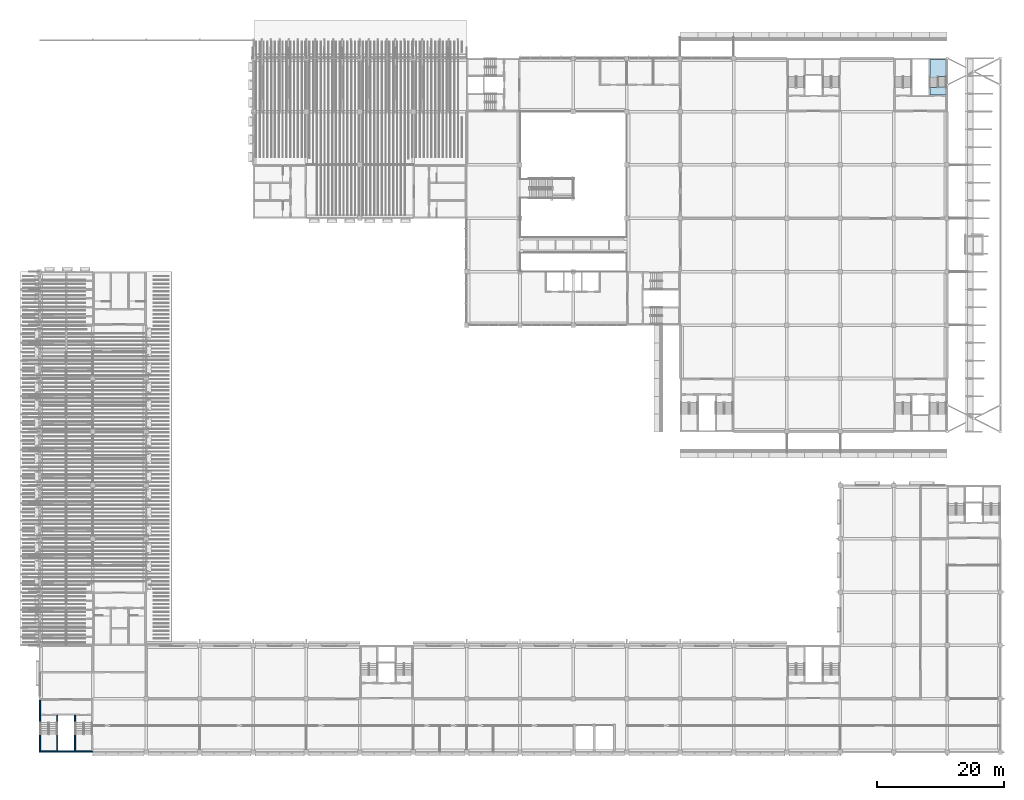
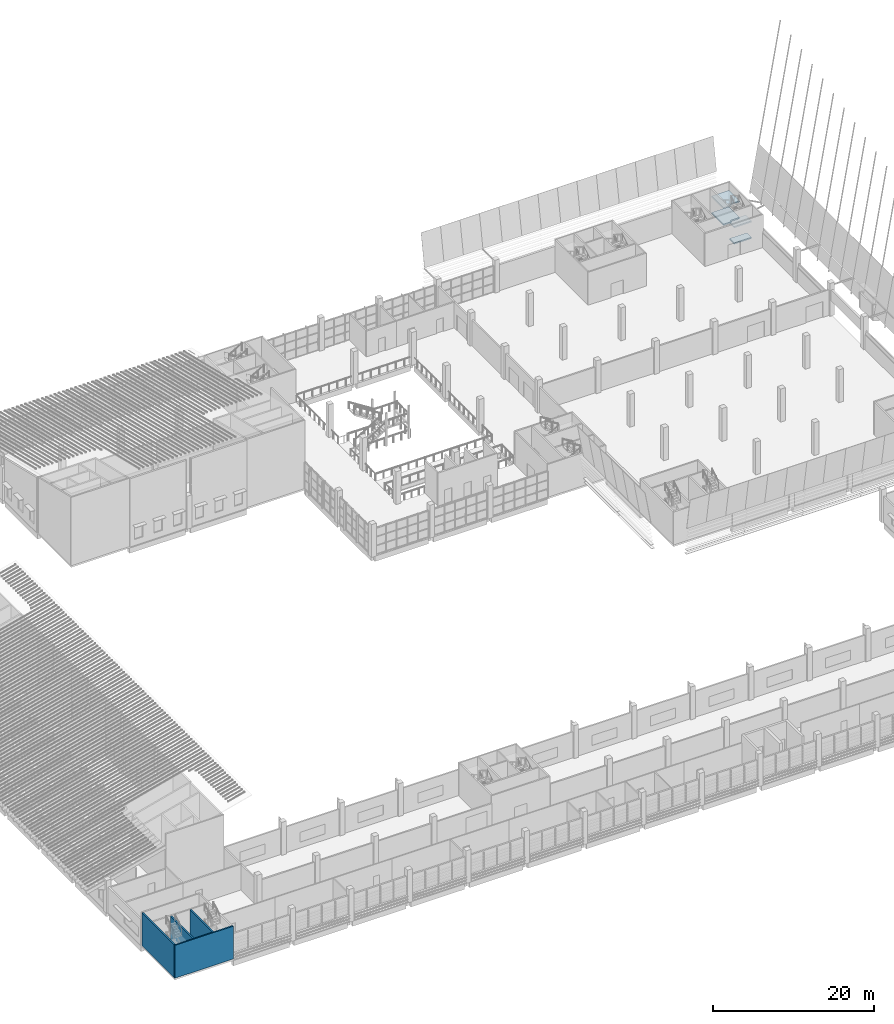
# One storey, part 16 of 82: 4 slabs, 4 walls, 1 element without a shape of its own.
"""IFC4 building model written with IfcOpenShell, lengths in metres."""

from ifc_helpers import new_model, si_unit, direction, frame, frame_2d, origin, place, context, subcontext, project, spatial, polyline, rectangle, outline, extrude, material, layer, layer_set, type_object, element, aggregate, save


model = new_model("IFC4")

# Units and contexts
model_context = context("Model", 3, precision=1e-05, world=origin(), true_north=direction((0.0, 1.0)))
body_context = subcontext(model_context, "Body", "Model", "MODEL_VIEW")
ifc_project = project(units=[si_unit("LENGTHUNIT", "METRE"), si_unit("AREAUNIT", "SQUARE_METRE"), si_unit("VOLUMEUNIT", "CUBIC_METRE"), si_unit("PLANEANGLEUNIT", "RADIAN"), si_unit("MASSUNIT", "GRAM", prefix="KILO")], contexts=[model_context])

# Site, building, storey
site_placement = place(None, origin())
site = spatial("IfcSite", under=ifc_project, at=site_placement, CompositionType="ELEMENT")
building_placement = place(site_placement, origin())
building = spatial("IfcBuilding", under=site, at=building_placement, Name="Almond Square Museum", CompositionType="ELEMENT")
storey_placement = place(building_placement, frame((0.0, 0.0, 20.0)))
storey = spatial("IfcBuildingStorey", under=building, at=storey_placement, Name="L03", CompositionType="ELEMENT", Elevation=20.0)

# Stair, slabs
ifc_material_1 = material(Name="Concrete C40/50", Category="concrete")
stair_type = type_object("IfcStairType", Name="Exit stair 28 risers of 179 mm", PredefinedType="HALF_TURN_STAIR", material=ifc_material_1)
stair_placement = place(storey_placement, origin())
stair = element("IfcStair", 1, at=stair_placement, inside=storey, type_object=stair_type, Name="L03 stair H3-2", PredefinedType="HALF_TURN_STAIR")
ifc_material_2 = material(Name="Concrete C40/50", Category="concrete")
ifc_layer_1 = layer(ifc_material_2, 0.199951171875)
ifc_layer_set_1 = layer_set([ifc_layer_1], Name="Concrete C40/50")
slab_type = type_object("IfcSlabType", Name="Concrete stair landing 200", PredefinedType="LANDING", material=ifc_layer_set_1)
slab_1_placement = place(storey_placement, frame((0.0, 0.0, 1.050048828125)))
slab_1 = element("IfcSlab", 2, at=slab_1_placement, type_object=slab_type, Name="ST-06 landing 1", PredefinedType="LANDING", context=body_context, shape_type="SweptSolid", body=[
    extrude(outline(polyline([(148.60009765625, 106.346923828125), (148.60009765625, 109.0), (146.10009765625, 109.0), (146.10009765625, 106.050048828125), (147.25, 106.050048828125), (147.25, 106.346923828125), (148.60009765625, 106.346923828125)])), origin(), (0.0, 0.0, 1.0), 0.199951171875),
])
slab_2_placement = place(storey_placement, frame((0.0, 0.0, 2.300048828125)))
slab_2 = element("IfcSlab", 3, at=slab_2_placement, type_object=slab_type, Name="ST-06 landing 2", PredefinedType="LANDING", context=body_context, shape_type="SweptSolid", body=[
    extrude(outline(polyline([(148.60009765625, 103.39990234375), (148.60009765625, 104.550048828125), (148.60009765625, 104.85009765625), (147.449951171875, 104.85009765625), (147.449951171875, 104.552978515625), (146.10009765625, 104.552978515625), (146.10009765625, 103.39990234375), (148.60009765625, 103.39990234375)])), origin(), (0.0, 0.0, 1.0), 0.199951171875),
])
slab_3_placement = place(storey_placement, frame((0.0, 0.0, 3.550048828125)))
slab_3 = element("IfcSlab", 4, at=slab_3_placement, type_object=slab_type, Name="ST-06 landing 3", PredefinedType="LANDING", context=body_context, shape_type="SweptSolid", body=[
    extrude(outline(polyline([(148.60009765625, 106.346923828125), (148.60009765625, 109.0), (146.10009765625, 109.0), (146.10009765625, 106.050048828125), (147.25, 106.050048828125), (147.25, 106.346923828125), (148.60009765625, 106.346923828125)])), origin(), (0.0, 0.0, 1.0), 0.199951171875),
])
aggregate(stair, [slab_1, slab_2, slab_3])

# Slab
slab_4_placement = place(storey_placement, frame((0.0, 0.0, -0.199951171875)))
element("IfcSlab", 5, at=slab_4_placement, inside=storey, type_object=slab_type, Name="L03 stair H3-2 floor landing", PredefinedType="LANDING", context=body_context, shape_type="SweptSolid", body=[
    extrude(outline(polyline([(146.10009765625, 103.39990234375), (148.60009765625, 103.39990234375), (148.60009765625, 104.552978515625), (146.10009765625, 104.552978515625), (146.10009765625, 103.39990234375)])), origin(), (0.0, 0.0, 1.0), 0.199951171875),
])

# Walls
ifc_material_3 = material(Name="Concrete C40/50", Category="concrete")
ifc_layer_2 = layer(ifc_material_3, 0.199951171875)
ifc_layer_set_2 = layer_set([ifc_layer_2], Name="Concrete C40/50")
wall_type = type_object("IfcWallType", Name="RC shear wall 200 C40/50", PredefinedType="SHEAR", material=ifc_layer_set_2)
wall_1_placement = place(storey_placement, frame((6.0, 0.10009765625, 0.0), z_axis=(0.0, 0.0, 1.0), x_axis=(1.0, 0.0, 0.0)))
element("IfcWall", 6, at=wall_1_placement, inside=storey, type_object=wall_type, Name="Core S1 south wall L03", PredefinedType="SHEAR", context=body_context, shape_type="SweptSolid", body=[
    extrude(rectangle(XDim=8.39990234375, YDim=0.199951171875, at=frame_2d((4.199951171875, 0.0))), origin(), (0.0, 0.0, 1.0), 5.0),
])
wall_2_placement = place(storey_placement, frame((6.10009765625, 0.199951171875, 0.0), z_axis=(0.0, 0.0, 1.0), x_axis=(0.0, 1.0, 0.0)))
element("IfcWall", 7, at=wall_2_placement, inside=storey, type_object=wall_type, Name="Core S1 west wall L03", PredefinedType="SHEAR", context=body_context, shape_type="SweptSolid", body=[
    extrude(rectangle(XDim=8.0, YDim=0.199951171875, at=frame_2d((4.0, 0.0))), origin(), (0.0, 0.0, 1.0), 5.0),
])
for number, where, z_axis, x_axis, name in (
    (8, (8.800048828125, 0.199951171875, 0.0), (0.0, 0.0, 1.0), (0.0, 1.0, 0.0), "Core S1 partition wall L03"),
    (9, (11.60009765625, 0.199951171875, 0.0), (0.0, 0.0, 1.0), (0.0, 1.0, 0.0), "Core S1 partition wall L03"),
):
    element("IfcWall", number, at=place(storey_placement, frame(where, z_axis=z_axis, x_axis=x_axis)), inside=storey, type_object=wall_type, Name=name, PredefinedType="SHEAR", context=body_context, shape_type="SweptSolid", body=[
        extrude(rectangle(XDim=5.60009765625, YDim=0.199951171875, at=frame_2d((2.800048828125, 0.0))), origin(), (0.0, 0.0, 1.0), 5.0),
    ])

save(model, "model.ifc")
